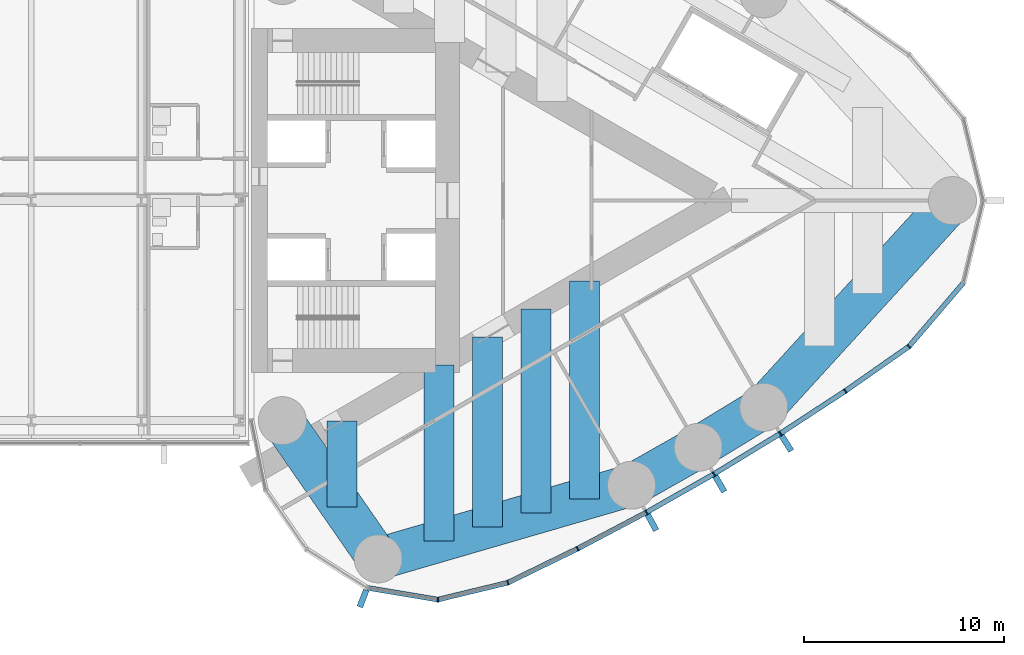
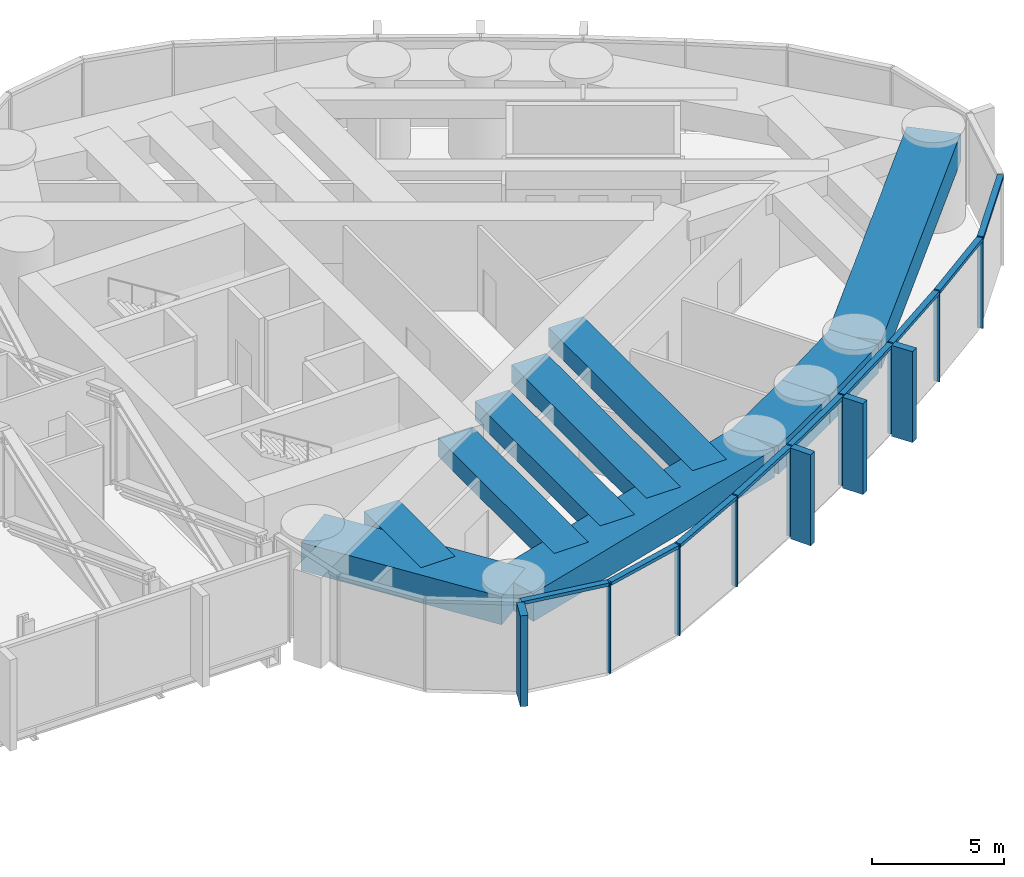
# One storey, part 9 of 23: 21 members, 10 beams, 1 element without a shape of its own.
"""IFC4 building model written with IfcOpenShell, lengths in metres."""

import ifcopenshell
import ifcopenshell.guid

model = None  # the IFC model being written
_history = None  # IfcOwnerHistory: only IFC2X3 demands one
_inside = {}  # id of a spatial element -> (the spatial element, [elements in it])
_under = {}  # id of a project, library or spatial element -> (it, [spatial elements below it])
_declared = {}  # id of a project -> (the project, [libraries it declares])
_typed = {}  # id of a type object -> (the type object, [elements of that type])
_made_of = {}  # id of a material, layer set ... -> (it, [elements and type objects made of it])


def new_model(schema):
    """Start an empty IFC model of exactly this schema.

    Asked for "IFC4X3", IfcOpenShell would pick the latest addendum, in which some entities
    have other attributes; the version numbers below select the first issue.
    IFC2X3 requires an IfcOwnerHistory on every rooted entity: one is made here for all.
    """
    global model, _history
    if schema == "IFC4X3":
        model = ifcopenshell.file(schema_version=(4, 3, 0, 0))
    else:
        model = ifcopenshell.file(schema=schema)
    _inside.clear()
    _under.clear()
    _declared.clear()
    _typed.clear()
    _made_of.clear()
    _history = None
    if model.schema == "IFC2X3":
        org = make("IfcOrganization", Name="unknown")
        user = make(
            "IfcPersonAndOrganization",
            ThePerson=make("IfcPerson", FamilyName="unknown"),
            TheOrganization=org,
        )
        app = make(
            "IfcApplication",
            ApplicationDeveloper=org,
            Version="unknown",
            ApplicationFullName="unknown",
            ApplicationIdentifier="unknown",
        )
        _history = make(
            "IfcOwnerHistory",
            OwningUser=user,
            OwningApplication=app,
            ChangeAction="ADDED",
            CreationDate=0,
        )
    return model


def make(cls, **values):
    """One entity of the class cls with the attributes given. An attribute that is None is left unset."""
    return model.create_entity(
        cls, **{name: value for name, value in values.items() if value is not None}
    )


def rooted(cls, **values):
    """An entity with a GlobalId (a new one), such as an element, a storey or a relation."""
    return make(cls, GlobalId=ifcopenshell.guid.new(), OwnerHistory=_history, **values)


def si_unit(unit_type, name, prefix=None):
    """IfcSIUnit, for example si_unit("LENGTHUNIT", "METRE", prefix="MILLI")."""
    return make("IfcSIUnit", UnitType=unit_type, Prefix=prefix, Name=name)


def assignment(units):
    """IfcUnitAssignment: the units of a project."""
    return None if units is None else make("IfcUnitAssignment", Units=units)


def point(xyz):
    """IfcCartesianPoint."""
    return None if xyz is None else make("IfcCartesianPoint", Coordinates=xyz)


def direction(xyz):
    """IfcDirection."""
    return None if xyz is None else make("IfcDirection", DirectionRatios=xyz)


def frame(location, z_axis=None, x_axis=None):
    """IfcAxis2Placement3D, a coordinate frame: its origin and axes. An axis left out is left unset."""
    return make(
        "IfcAxis2Placement3D",
        Location=point(location),
        Axis=direction(z_axis),
        RefDirection=direction(x_axis),
    )


def frame_2d(location, x_axis=None):
    """IfcAxis2Placement2D, a coordinate frame in the plane: its origin and x axis."""
    return make(
        "IfcAxis2Placement2D", Location=point(location), RefDirection=direction(x_axis)
    )


def origin():
    """The frame at (0, 0, 0) with its axes left unset."""
    return frame((0.0, 0.0, 0.0))


def origin_2d():
    """The frame at (0, 0) in the plane with its x axis left unset."""
    return frame_2d((0.0, 0.0))


def place(relative_to, where):
    """IfcLocalPlacement: puts the frame where relative to a parent placement (None: the world)."""
    return make(
        "IfcLocalPlacement", PlacementRelTo=relative_to, RelativePlacement=where
    )


def context(
    kind, dimensions, precision=None, world=None, true_north=None, identifier=None
):
    """IfcGeometricRepresentationContext, for example the 3D "Model" context."""
    return make(
        "IfcGeometricRepresentationContext",
        ContextIdentifier=identifier,
        ContextType=kind,
        CoordinateSpaceDimension=dimensions,
        Precision=precision,
        WorldCoordinateSystem=world,
        TrueNorth=true_north,
    )


def subcontext(parent, identifier, kind, view, scale=None):
    """IfcGeometricRepresentationSubContext, for example "Body" below "Model"."""
    return make(
        "IfcGeometricRepresentationSubContext",
        ContextIdentifier=identifier,
        ContextType=kind,
        ParentContext=parent,
        TargetScale=scale,
        TargetView=view,
    )


def project(units=None, contexts=None):
    """IfcProject with its units and contexts."""
    return rooted(
        "IfcProject",
        Name="project",
        RepresentationContexts=contexts,
        UnitsInContext=assignment(units),
    )


def spatial(cls, under=None, at=None, **own):
    """A site, building, storey or space (cls), placed at a placement, below another one or the project."""
    s = rooted(cls, ObjectPlacement=at, **own)
    if under is not None:
        _under.setdefault(under.id(), (under, []))[1].append(s)
    return s


def profile(cls, at=None, kind="AREA", **sizes):
    """A parametric profile (cls). Its sizes go by their IFC names, for example OverallWidth=200.0."""
    return make(cls, ProfileType=kind, Position=at, **sizes)


def rectangle(**sizes):
    """IfcRectangleProfileDef."""
    return profile("IfcRectangleProfileDef", **sizes)


def extrude(swept, where, along, depth):
    """IfcExtrudedAreaSolid: the profile swept, set in the frame where, extruded along a direction by depth."""
    return make(
        "IfcExtrudedAreaSolid",
        SweptArea=swept,
        Position=where,
        ExtrudedDirection=direction(along),
        Depth=depth,
    )


def shape(context_of_items, identifier, shape_type, items):
    """IfcShapeRepresentation: the items that make up one representation, for example the "Body"."""
    return make(
        "IfcShapeRepresentation",
        ContextOfItems=context_of_items,
        RepresentationIdentifier=identifier,
        RepresentationType=shape_type,
        Items=items,
    )


def material(Name=None, Category=None):
    """IfcMaterial."""
    return make("IfcMaterial", Name=Name, Category=Category)


def material_profile(
    of_material, cross_section, Name=None, Category=None, Priority=None
):
    """IfcMaterialProfile: a cross section and its material."""
    return make(
        "IfcMaterialProfile",
        Name=Name,
        Material=of_material,
        Profile=cross_section,
        Priority=Priority,
        Category=Category,
    )


def profile_set(profiles, Name=None, composite=None):
    """IfcMaterialProfileSet."""
    return make(
        "IfcMaterialProfileSet",
        Name=Name,
        MaterialProfiles=profiles,
        CompositeProfile=composite,
    )


def made_of(thing, what):
    """Note that an element or type object is made of a material, layer set ...; save() writes the relation."""
    if what is not None:
        _made_of.setdefault(what.id(), (what, []))[1].append(thing)
    return thing


def type_object(cls, material=None, **own):
    """A type object (cls), such as IfcWallType, which elements share."""
    return made_of(rooted(cls, **own), material)


def element(
    cls,
    number,
    at=None,
    inside=None,
    cuts=None,
    type_object=None,
    material=None,
    context=None,
    identifier="Body",
    shape_type=None,
    held_by="IfcProductDefinitionShape",
    body=None,
    shapes=None,
    **own,
):
    """One element of the class cls, such as IfcWall. Its Tag is "e" and its number.

    at: its placement. inside: the storey or other place that contains it. cuts: it is an
    opening in that element (IfcRelVoidsElement). A single representation is given by context,
    identifier, shape_type and body (its items); several are given by shapes. held_by: the class
    of the entity that holds the representations. save() writes the other relations.
    """
    e = rooted(cls, Tag="e%d" % number, ObjectPlacement=at, **own)
    if body is not None:
        shapes = [shape(context, identifier, shape_type, body)]
    if shapes is not None:
        e.Representation = make(held_by, Representations=shapes)
    if inside is not None:
        _inside.setdefault(inside.id(), (inside, []))[1].append(e)
    if cuts is not None:
        rooted(
            "IfcRelVoidsElement", RelatingBuildingElement=cuts, RelatedOpeningElement=e
        )
    if type_object is not None:
        _typed.setdefault(type_object.id(), (type_object, []))[1].append(e)
    return made_of(e, material)


def aggregate(whole, parts):
    """IfcRelAggregates: a whole, such as a stair, and the parts it consists of."""
    return rooted("IfcRelAggregates", RelatingObject=whole, RelatedObjects=parts)


def save(model, path):
    """Write the relations noted so far, then the file.

    IfcRelAggregates (storeys below a building ...), IfcRelContainedInSpatialStructure (elements
    in a storey), IfcRelDefinesByType, IfcRelAssociatesMaterial and IfcRelDeclares: one each for
    every whole, place, type object, material and project.
    """
    for whole, parts in _under.values():
        aggregate(whole, parts)
    for where, things in _inside.values():
        rooted(
            "IfcRelContainedInSpatialStructure",
            RelatedElements=things,
            RelatingStructure=where,
        )
    for kind, things in _typed.values():
        rooted("IfcRelDefinesByType", RelatedObjects=things, RelatingType=kind)
    for what, things in _made_of.values():
        rooted("IfcRelAssociatesMaterial", RelatedObjects=things, RelatingMaterial=what)
    for by, libraries in _declared.values():
        rooted("IfcRelDeclares", RelatingContext=by, RelatedDefinitions=libraries)
    model.write(path)


model = new_model("IFC4")

# Units and contexts
model_context = context("Model", 3, precision=1e-05, world=origin(), true_north=direction((0.0, 1.0)))
body_context = subcontext(model_context, "Body", "Model", "MODEL_VIEW")
ifc_project = project(units=[si_unit("LENGTHUNIT", "METRE"), si_unit("AREAUNIT", "SQUARE_METRE"), si_unit("VOLUMEUNIT", "CUBIC_METRE"), si_unit("PLANEANGLEUNIT", "RADIAN"), si_unit("MASSUNIT", "GRAM", prefix="KILO")], contexts=[model_context])

# Site, building, storey
site_placement = place(None, origin())
site = spatial("IfcSite", under=ifc_project, at=site_placement, CompositionType="ELEMENT")
building_placement = place(site_placement, origin())
building = spatial("IfcBuilding", under=site, at=building_placement, Name="Lancet Gate Hotel", CompositionType="ELEMENT")
storey_placement = place(building_placement, frame((0.0, 0.0, 247.699951171875)))
storey = spatial("IfcBuildingStorey", under=building, at=storey_placement, Name="L66", CompositionType="ELEMENT", Elevation=247.699951171875)

# Curtain wall, members
ifc_material_1 = material(Name="Aluminium curtain wall", Category="aluminium")
curtain_wall_type = type_object("IfcCurtainWallType", Name="Sky deck full-height glazing", PredefinedType="USERDEFINED", material=ifc_material_1)
curtain_wall_placement = place(storey_placement, origin())
curtain_wall = element("IfcCurtainWall", 1, at=curtain_wall_placement, inside=storey, type_object=curtain_wall_type, Name="T2 L66 curtain wall 1", ObjectType="UNITISED CURTAIN WALL", PredefinedType="USERDEFINED")
ifc_material_2 = material(Name="Aluminium mullion", Category="aluminium")
ifc_material_profile_1 = material_profile(ifc_material_2, rectangle(XDim=0.06494140625, YDim=0.25, at=origin_2d()), Name="MULLION 65x250")
ifc_profile_set_1 = profile_set([ifc_material_profile_1], Name="Aluminium mullion")
member_type_1 = type_object("IfcMemberType", Name="Aluminium mullion 65x250", PredefinedType="MULLION", material=ifc_profile_set_1)
member_1_placement = place(storey_placement, frame((36.826171875, -19.942138671875, 0.0), z_axis=(0.0, 0.0, 1.0), x_axis=(0.999342744911, 0.03625021647, 0.0)))
member_1 = element("IfcMember", 2, at=member_1_placement, type_object=member_type_1, Name="T2 L66 curtain wall 1 mullion 5", PredefinedType="MULLION", context=body_context, shape_type="SweptSolid", body=[
    extrude(rectangle(XDim=0.06494140625, YDim=0.25, at=origin_2d()), origin(), (0.0, 0.0, 1.0), 4.199951171875),
])
member_2_placement = place(storey_placement, frame((40.3173828125, -19.098388671875, 0.0), z_axis=(0.0, 0.0, 1.0), x_axis=(0.939483740419, 0.342593493061, 0.0)))
member_2 = element("IfcMember", 3, at=member_2_placement, type_object=member_type_1, Name="T2 L66 curtain wall 1 mullion 6", PredefinedType="MULLION", context=body_context, shape_type="SweptSolid", body=[
    extrude(rectangle(XDim=0.06494140625, YDim=0.25, at=origin_2d()), origin(), (0.0, 0.0, 1.0), 4.199951171875),
])
member_3_placement = place(storey_placement, frame((43.80810546875, -17.396240234375, 0.0), z_axis=(0.0, 0.0, 1.0), x_axis=(0.891832977257, 0.452364831389, 0.0)))
member_3 = element("IfcMember", 4, at=member_3_placement, type_object=member_type_1, Name="T2 L66 curtain wall 1 mullion 7", PredefinedType="MULLION", context=body_context, shape_type="SweptSolid", body=[
    extrude(rectangle(XDim=0.06494140625, YDim=0.25, at=origin_2d()), origin(), (0.0, 0.0, 1.0), 4.199951171875),
])
member_4_placement = place(storey_placement, frame((47.24365234375, -15.585205078125, 0.0), z_axis=(0.0, 0.0, 1.0), x_axis=(0.877194589488, 0.480135035352, 0.0)))
member_4 = element("IfcMember", 5, at=member_4_placement, type_object=member_type_1, Name="T2 L66 curtain wall 1 mullion 8", PredefinedType="MULLION", context=body_context, shape_type="SweptSolid", body=[
    extrude(rectangle(XDim=0.06494140625, YDim=0.25, at=origin_2d()), origin(), (0.0, 0.0, 1.0), 4.199951171875),
])
member_5_placement = place(storey_placement, frame((50.62060546875, -13.667236328125, 0.0), z_axis=(0.0, 0.0, 1.0), x_axis=(0.861691755738, 0.507432082247, 0.0)))
member_5 = element("IfcMember", 6, at=member_5_placement, type_object=member_type_1, Name="T2 L66 curtain wall 1 mullion 9", PredefinedType="MULLION", context=body_context, shape_type="SweptSolid", body=[
    extrude(rectangle(XDim=0.06494140625, YDim=0.25, at=origin_2d()), origin(), (0.0, 0.0, 1.0), 4.199951171875),
])
member_6_placement = place(storey_placement, frame((53.935791015625, -11.644287109375, 0.0), z_axis=(0.0, 0.0, 1.0), x_axis=(0.845339753513, 0.534229071777, 0.0)))
member_6 = element("IfcMember", 7, at=member_6_placement, type_object=member_type_1, Name="T2 L66 curtain wall 1 mullion 10", PredefinedType="MULLION", context=body_context, shape_type="SweptSolid", body=[
    extrude(rectangle(XDim=0.06494140625, YDim=0.25, at=origin_2d()), origin(), (0.0, 0.0, 1.0), 4.199951171875),
])
member_7_placement = place(storey_placement, frame((57.185791015625, -9.518310546875, 0.0), z_axis=(0.0, 0.0, 1.0), x_axis=(0.828154697184, 0.560499596371, 0.0)))
member_7 = element("IfcMember", 8, at=member_7_placement, type_object=member_type_1, Name="T2 L66 curtain wall 1 mullion 11", PredefinedType="MULLION", context=body_context, shape_type="SweptSolid", body=[
    extrude(rectangle(XDim=0.06494140625, YDim=0.25, at=origin_2d()), origin(), (0.0, 0.0, 1.0), 4.199951171875),
])
member_8_placement = place(storey_placement, frame((60.367431640625, -7.291259765625, 0.0), z_axis=(0.0, 0.0, 1.0), x_axis=(0.737323173512, 0.675540182226, 0.0)))
member_8 = element("IfcMember", 9, at=member_8_placement, type_object=member_type_1, Name="T2 L66 curtain wall 1 mullion 12", PredefinedType="MULLION", context=body_context, shape_type="SweptSolid", body=[
    extrude(rectangle(XDim=0.06494140625, YDim=0.25, at=origin_2d()), origin(), (0.0, 0.0, 1.0), 4.199951171875),
])
ifc_material_3 = material(Name="Aluminium transom", Category="aluminium")
ifc_material_profile_2 = material_profile(ifc_material_3, rectangle(XDim=0.25, YDim=0.14990234375, at=origin_2d()), Name="TRANSOM 250x150")
ifc_profile_set_2 = profile_set([ifc_material_profile_2], Name="Aluminium transom")
member_type_2 = type_object("IfcMemberType", Name="Aluminium transom 250x150", PredefinedType="USERDEFINED", material=ifc_profile_set_2)
member_9_placement = place(storey_placement, frame((33.315185546875, -19.35888671875, 4.125), z_axis=(0.986483584545, -0.163860115412, 0.0), x_axis=(0.163860115412, 0.986483584545, 0.0)))
member_9 = element("IfcMember", 10, at=member_9_placement, type_object=member_type_2, Name="T2 L66 curtain wall 1 transom 4", ObjectType="TRANSOM", PredefinedType="USERDEFINED", context=body_context, shape_type="SweptSolid", body=[
    extrude(rectangle(XDim=0.25, YDim=0.14990234375, at=origin_2d()), origin(), (0.0, 0.0, 1.0), 3.526611328125),
])
member_10_placement = place(storey_placement, frame((36.85791015625, -19.9345703125, 4.125), z_axis=(0.972002653858, 0.234969872307, 0.0), x_axis=(-0.234969872307, 0.972002653858, 0.0)))
member_10 = element("IfcMember", 11, at=member_10_placement, type_object=member_type_2, Name="T2 L66 curtain wall 1 transom 5", ObjectType="TRANSOM", PredefinedType="USERDEFINED", context=body_context, shape_type="SweptSolid", body=[
    extrude(rectangle(XDim=0.25, YDim=0.14990234375, at=origin_2d()), origin(), (0.0, 0.0, 1.0), 3.5263671875),
])
member_11_placement = place(storey_placement, frame((40.346435546875, -19.084228515625, 4.125), z_axis=(0.898820051991, 0.438317823206, 0.0), x_axis=(-0.438317823206, 0.898820051991, 0.0)))
member_11 = element("IfcMember", 12, at=member_11_placement, type_object=member_type_2, Name="T2 L66 curtain wall 1 transom 6", ObjectType="TRANSOM", PredefinedType="USERDEFINED", context=body_context, shape_type="SweptSolid", body=[
    extrude(rectangle(XDim=0.25, YDim=0.14990234375, at=origin_2d()), origin(), (0.0, 0.0, 1.0), 3.81884765625),
])
member_12_placement = place(storey_placement, frame((43.836669921875, -17.381103515625, 4.125), z_axis=(0.884618491031, 0.466315478325, 0.0), x_axis=(-0.466315478325, 0.884618491031, 0.0)))
member_12 = element("IfcMember", 13, at=member_12_placement, type_object=member_type_2, Name="T2 L66 curtain wall 1 transom 7", ObjectType="TRANSOM", PredefinedType="USERDEFINED", context=body_context, shape_type="SweptSolid", body=[
    extrude(rectangle(XDim=0.25, YDim=0.14990234375, at=origin_2d()), origin(), (0.0, 0.0, 1.0), 3.81884765625),
])
member_13_placement = place(storey_placement, frame((47.271728515625, -15.569091796875, 4.125), z_axis=(0.869562011924, 0.493823761496, 0.0), x_axis=(-0.493823761496, 0.869562011924, 0.0)))
member_13 = element("IfcMember", 14, at=member_13_placement, type_object=member_type_2, Name="T2 L66 curtain wall 1 transom 8", ObjectType="TRANSOM", PredefinedType="USERDEFINED", context=body_context, shape_type="SweptSolid", body=[
    extrude(rectangle(XDim=0.25, YDim=0.14990234375, at=origin_2d()), origin(), (0.0, 0.0, 1.0), 3.818603515625),
])
member_14_placement = place(storey_placement, frame((50.648193359375, -13.650390625, 4.125), z_axis=(0.853638798527, 0.520865435261, 0.0), x_axis=(-0.520865435261, 0.853638798527, 0.0)))
member_14 = element("IfcMember", 15, at=member_14_placement, type_object=member_type_2, Name="T2 L66 curtain wall 1 transom 9", ObjectType="TRANSOM", PredefinedType="USERDEFINED", context=body_context, shape_type="SweptSolid", body=[
    extrude(rectangle(XDim=0.25, YDim=0.14990234375, at=origin_2d()), origin(), (0.0, 0.0, 1.0), 3.818603515625),
])
member_15_placement = place(storey_placement, frame((53.962890625, -11.62646484375, 4.125), z_axis=(0.836858089593, 0.547419891749, 0.0), x_axis=(-0.547419891749, 0.836858089593, 0.0)))
member_15 = element("IfcMember", 16, at=member_15_placement, type_object=member_type_2, Name="T2 L66 curtain wall 1 transom 10", ObjectType="TRANSOM", PredefinedType="USERDEFINED", context=body_context, shape_type="SweptSolid", body=[
    extrude(rectangle(XDim=0.25, YDim=0.14990234375, at=origin_2d()), origin(), (0.0, 0.0, 1.0), 3.818603515625),
])
member_16_placement = place(storey_placement, frame((57.21240234375, -9.499755859375, 4.125), z_axis=(0.819255948852, 0.573428016642, 0.0), x_axis=(-0.573428016642, 0.819255948852, 0.0)))
member_16 = element("IfcMember", 17, at=member_16_placement, type_object=member_type_2, Name="T2 L66 curtain wall 1 transom 11", ObjectType="TRANSOM", PredefinedType="USERDEFINED", context=body_context, shape_type="SweptSolid", body=[
    extrude(rectangle(XDim=0.25, YDim=0.14990234375, at=origin_2d()), origin(), (0.0, 0.0, 1.0), 3.818603515625),
])
member_17_placement = place(storey_placement, frame((60.388427734375, -7.2666015625, 4.125), z_axis=(0.650592500186, 0.759427019997, 0.0), x_axis=(-0.759427019997, 0.650592500186, 0.0)))
member_17 = element("IfcMember", 18, at=member_17_placement, type_object=member_type_2, Name="T2 L66 curtain wall 1 transom 12", ObjectType="TRANSOM", PredefinedType="USERDEFINED", context=body_context, shape_type="SweptSolid", body=[
    extrude(rectangle(XDim=0.25, YDim=0.14990234375, at=origin_2d()), origin(), (0.0, 0.0, 1.0), 4.1455078125),
])

# Beams
ifc_material_4 = material(Name="Concrete C50/60", Category="concrete")
ifc_material_profile_3 = material_profile(ifc_material_4, rectangle(XDim=2.10009765625, YDim=1.300048828125, at=origin_2d()), Name="RC 2100x1300")
ifc_profile_set_3 = profile_set([ifc_material_profile_3], Name="Concrete C50/60")
beam_type_1 = type_object("IfcBeamType", Name="Edge beam RC 2100x1300", PredefinedType="SPANDREL", material=ifc_profile_set_3)
beam_1_placement = place(storey_placement, frame((33.837158203125, -17.906005859375, 3.300048828125), z_axis=(0.960258384252, 0.279112585659, 0.0), x_axis=(-0.279112585659, 0.960258384252, 0.0)))
element("IfcBeam", 19, at=beam_1_placement, inside=storey, type_object=beam_type_1, Name="T2 edge beam EB1 L66", PredefinedType="SPANDREL", context=body_context, shape_type="SweptSolid", body=[
    extrude(rectangle(XDim=2.10009765625, YDim=1.300048828125, at=origin_2d()), origin(), (0.0, 0.0, 1.0), 13.18603515625),
])
beam_2_placement = place(storey_placement, frame((46.499267578125, -14.2255859375, 3.300048828125), z_axis=(0.869560321562, 0.493826738001, 0.0), x_axis=(-0.493826738001, 0.869560321562, 0.0)))
element("IfcBeam", 20, at=beam_2_placement, inside=storey, type_object=beam_type_1, Name="T2 edge beam EB1 L66", PredefinedType="SPANDREL", context=body_context, shape_type="SweptSolid", body=[
    extrude(rectangle(XDim=2.10009765625, YDim=1.300048828125, at=origin_2d()), origin(), (0.0, 0.0, 1.0), 3.8349609375),
])
beam_3_placement = place(storey_placement, frame((49.833984375, -12.331787109375, 3.300048828125), z_axis=(0.853604257265, 0.520922040212, 0.0), x_axis=(-0.520922040212, 0.853604257265, 0.0)))
element("IfcBeam", 21, at=beam_3_placement, inside=storey, type_object=beam_type_1, Name="T2 edge beam EB1 L66", PredefinedType="SPANDREL", context=body_context, shape_type="SweptSolid", body=[
    extrude(rectangle(XDim=2.10009765625, YDim=1.300048828125, at=origin_2d()), origin(), (0.0, 0.0, 1.0), 3.835205078125),
])
beam_4_placement = place(storey_placement, frame((53.107666015625, -10.333984375, 3.300048828125), z_axis=(0.674209372947, 0.738540263919, 0.0), x_axis=(-0.738540263919, 0.674209372947, 0.0)))
element("IfcBeam", 22, at=beam_4_placement, inside=storey, type_object=beam_type_1, Name="T2 edge beam EB1 L66", PredefinedType="SPANDREL", context=body_context, shape_type="SweptSolid", body=[
    extrude(rectangle(XDim=2.10009765625, YDim=1.300048828125, at=origin_2d()), origin(), (0.0, 0.0, 1.0), 13.992431640625),
])
beam_5_placement = place(storey_placement, frame((33.837158203125, -17.906005859375, 3.300048828125), z_axis=(-0.569694852599, 0.821856298219, 0.0), x_axis=(-0.821856298219, -0.569694852599, 0.0)))
element("IfcBeam", 23, at=beam_5_placement, inside=storey, type_object=beam_type_1, Name="T2 edge beam EB1 L66", PredefinedType="SPANDREL", context=body_context, shape_type="SweptSolid", body=[
    extrude(rectangle(XDim=2.10009765625, YDim=1.300048828125, at=origin_2d()), origin(), (0.0, 0.0, 1.0), 8.40283203125),
])

# Member
ifc_material_5 = material(Name="Precast concrete C50/60", Category="concrete")
ifc_material_profile_4 = material_profile(ifc_material_5, rectangle(XDim=0.300048828125, YDim=0.89990234375, at=origin_2d()), Name="FIN 300x900")
ifc_profile_set_4 = profile_set([ifc_material_profile_4], Name="Precast concrete C50/60")
member_type_3 = type_object("IfcMemberType", Name="Exposed concrete fin 300x900", PredefinedType="USERDEFINED", material=ifc_profile_set_4)
member_18_placement = place(storey_placement, frame((33.07763671875, -19.890625, 0.0), z_axis=(0.0, 0.0, 1.0), x_axis=(0.93394321776, -0.357421412343, 0.0)))
member_18 = element("IfcMember", 24, at=member_18_placement, type_object=member_type_3, Name="T2 L66 curtain wall 1 fin 4", ObjectType="FIN", PredefinedType="USERDEFINED", context=body_context, shape_type="SweptSolid", body=[
    extrude(rectangle(XDim=0.300048828125, YDim=0.89990234375, at=origin_2d()), origin(), (0.0, 0.0, 1.0), 4.199951171875),
])

member_19_placement = place(storey_placement, frame((47.51953125, -16.089599609375, 0.0), z_axis=(0.0, 0.0, 1.0), x_axis=(0.877194589488, 0.480135035352, 0.0)))
member_19 = element("IfcMember", 25, at=member_19_placement, type_object=member_type_3, Name="T2 L66 curtain wall 1 fin 8", ObjectType="FIN", PredefinedType="USERDEFINED", context=body_context, shape_type="SweptSolid", body=[
    extrude(rectangle(XDim=0.300048828125, YDim=0.89990234375, at=origin_2d()), origin(), (0.0, 0.0, 1.0), 4.199951171875),
])

member_20_placement = place(storey_placement, frame((50.912353515625, -14.162841796875, 0.0), z_axis=(0.0, 0.0, 1.0), x_axis=(0.861691755738, 0.507432082247, 0.0)))
member_20 = element("IfcMember", 26, at=member_20_placement, type_object=member_type_3, Name="T2 L66 curtain wall 1 fin 9", ObjectType="FIN", PredefinedType="USERDEFINED", context=body_context, shape_type="SweptSolid", body=[
    extrude(rectangle(XDim=0.300048828125, YDim=0.89990234375, at=origin_2d()), origin(), (0.0, 0.0, 1.0), 4.199951171875),
])

member_21_placement = place(storey_placement, frame((54.242919921875, -12.13037109375, 0.0), z_axis=(0.0, 0.0, 1.0), x_axis=(0.845339753513, 0.534229071777, 0.0)))
member_21 = element("IfcMember", 27, at=member_21_placement, type_object=member_type_3, Name="T2 L66 curtain wall 1 fin 10", ObjectType="FIN", PredefinedType="USERDEFINED", context=body_context, shape_type="SweptSolid", body=[
    extrude(rectangle(XDim=0.300048828125, YDim=0.89990234375, at=origin_2d()), origin(), (0.0, 0.0, 1.0), 4.199951171875),
])

aggregate(curtain_wall, [member_18, member_1, member_2, member_3, member_4, member_19, member_5, member_20, member_6, member_21, member_7, member_8, member_9, member_10, member_11, member_12, member_13, member_14, member_15, member_16, member_17])

# Beams
ifc_material_6 = material(Name="Concrete C50/60", Category="concrete")
ifc_material_profile_5 = material_profile(ifc_material_6, rectangle(XDim=1.5, YDim=0.85009765625, at=origin_2d()), Name="RC 1500x850")
ifc_profile_set_5 = profile_set([ifc_material_profile_5], Name="Concrete C50/60")
beam_type_2 = type_object("IfcBeamType", Name="Floor beam RC 1500x850", PredefinedType="BEAM", material=ifc_profile_set_5)
beam_6_placement = place(storey_placement, frame((32.04052734375, -15.31396484375, 3.525146484375), z_axis=(0.0, 1.0, 0.0), x_axis=(-1.0, 0.0, 0.0)))
element("IfcBeam", 28, at=beam_6_placement, inside=storey, type_object=beam_type_2, Name="T2 floor beam F01S L66", PredefinedType="BEAM", context=body_context, shape_type="SweptSolid", body=[
    extrude(rectangle(XDim=1.5, YDim=0.85009765625, at=origin_2d()), origin(), (0.0, 0.0, 1.0), 4.30859375),
])
beam_7_placement = place(storey_placement, frame((36.880859375, -17.021240234375, 3.525146484375), z_axis=(0.0, 1.0, 0.0), x_axis=(-1.0, 0.0, 0.0)))
element("IfcBeam", 29, at=beam_7_placement, inside=storey, type_object=beam_type_2, Name="T2 floor beam F03S L66", PredefinedType="BEAM", context=body_context, shape_type="SweptSolid", body=[
    extrude(rectangle(XDim=1.5, YDim=0.85009765625, at=origin_2d()), origin(), (0.0, 0.0, 1.0), 8.810546875),
])
beam_8_placement = place(storey_placement, frame((39.301025390625, -16.31787109375, 3.525146484375), z_axis=(0.0, 1.0, 0.0), x_axis=(-1.0, 0.0, 0.0)))
element("IfcBeam", 30, at=beam_8_placement, inside=storey, type_object=beam_type_2, Name="T2 floor beam F05S L66", PredefinedType="BEAM", context=body_context, shape_type="SweptSolid", body=[
    extrude(rectangle(XDim=1.5, YDim=0.85009765625, at=origin_2d()), origin(), (0.0, 0.0, 1.0), 9.50439453125),
])
beam_9_placement = place(storey_placement, frame((41.721435546875, -15.6142578125, 3.525146484375), z_axis=(0.0, 1.0, 0.0), x_axis=(-1.0, 0.0, 0.0)))
element("IfcBeam", 31, at=beam_9_placement, inside=storey, type_object=beam_type_2, Name="T2 floor beam F07S L66", PredefinedType="BEAM", context=body_context, shape_type="SweptSolid", body=[
    extrude(rectangle(XDim=1.5, YDim=0.85009765625, at=origin_2d()), origin(), (0.0, 0.0, 1.0), 10.1982421875),
])
beam_10_placement = place(storey_placement, frame((44.1416015625, -14.910888671875, 3.525146484375), z_axis=(0.0, 1.0, 0.0), x_axis=(-1.0, 0.0, 0.0)))
element("IfcBeam", 32, at=beam_10_placement, inside=storey, type_object=beam_type_2, Name="T2 floor beam F09S L66", PredefinedType="BEAM", context=body_context, shape_type="SweptSolid", body=[
    extrude(rectangle(XDim=1.5, YDim=0.85009765625, at=origin_2d()), origin(), (0.0, 0.0, 1.0), 10.89208984375),
])

save(model, "model.ifc")
